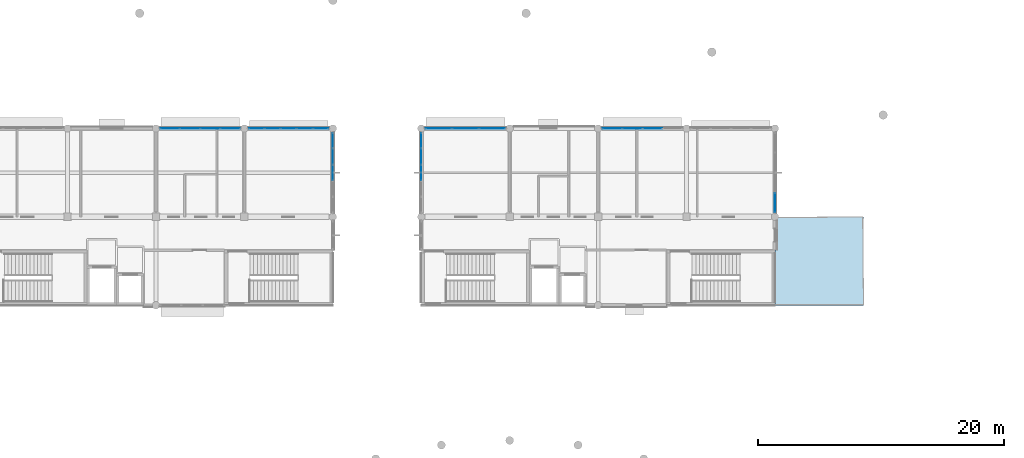
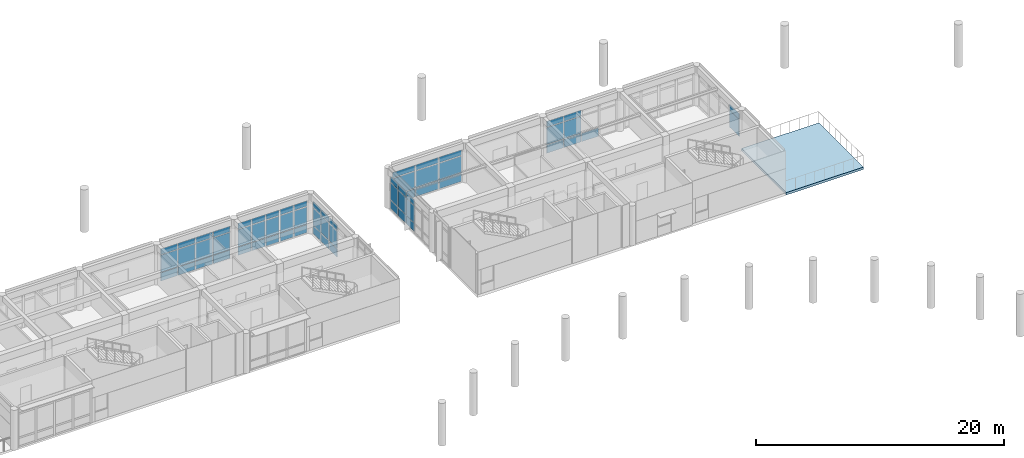
# One storey, part 16 of 41: 63 plates, 1 slab, 7 elements without a shape of their own.
"""IFC4 building model written with IfcOpenShell, lengths in metres."""

from ifc_helpers import new_model, si_unit, direction, frame, origin, origin_2d, place, context, subcontext, project, spatial, polyline, rectangle, outline, extrude, material, layer, layer_set, type_object, element, aggregate, save


model = new_model("IFC4")

# Units and contexts
model_context = context("Model", 3, precision=1e-05, world=origin(), true_north=direction((0.0, 1.0)))
body_context = subcontext(model_context, "Body", "Model", "MODEL_VIEW")
ifc_project = project(units=[si_unit("LENGTHUNIT", "METRE"), si_unit("AREAUNIT", "SQUARE_METRE"), si_unit("VOLUMEUNIT", "CUBIC_METRE"), si_unit("PLANEANGLEUNIT", "RADIAN"), si_unit("MASSUNIT", "GRAM", prefix="KILO")], contexts=[model_context])

# Site, building, storey
site_placement = place(None, origin())
site = spatial("IfcSite", under=ifc_project, at=site_placement, CompositionType="ELEMENT")
building_placement = place(site_placement, origin())
building = spatial("IfcBuilding", under=site, at=building_placement, Name="Namkhue Oval Health Centre", CompositionType="ELEMENT")
storey_placement = place(building_placement, frame((0.0, 0.0, 13.800048828125)))
storey = spatial("IfcBuildingStorey", under=building, at=storey_placement, Name="L03", CompositionType="ELEMENT", Elevation=13.800048828125)

# Curtain wall, plates
ifc_material_1 = material(Name="Anodised aluminium EN AW-6063 T6", Category="aluminium")
ifc_layer_1 = layer(ifc_material_1, 0.159912109375)
ifc_layer_set_1 = layer_set([ifc_layer_1], Name="Anodised aluminium EN AW-6063 T6")
curtain_wall_type_1 = type_object("IfcCurtainWallType", Name="UNITISED CURTAIN WALL M1200", PredefinedType="NOTDEFINED", material=ifc_layer_set_1)
curtain_wall_1_placement = place(storey_placement, origin())
curtain_wall_1 = element("IfcCurtainWall", 1, at=curtain_wall_1_placement, inside=storey, type_object=curtain_wall_type_1, Name="Volume V2 L03 Unitised Curtain Wall 73", PredefinedType="NOTDEFINED")
ifc_material_2 = material(Name="Thermally broken low-E laminated double glazing", Category="glass")
ifc_layer_2 = layer(ifc_material_2, 0.02587890625)
ifc_layer_set_2 = layer_set([ifc_layer_2], Name="Thermally broken low-E laminated double glazing")
plate_type_1 = type_object("IfcPlateType", Name="CURTAIN WALL GLAZED PANEL 26", PredefinedType="CURTAIN_PANEL", material=ifc_layer_set_2)
plate_1_placement = place(storey_placement, frame((86.39990234375, 100.800048828125, 0.06494140625), z_axis=(0.0, 0.0, 1.0), x_axis=(0.0, 1.0, 0.0)))
plate_1 = element("IfcPlate", 2, at=plate_1_placement, type_object=plate_type_1, Name="CW-01 panel 3.1", PredefinedType="CURTAIN_PANEL", context=body_context, shape_type="SweptSolid", body=[
    extrude(rectangle(XDim=1.2509765625, YDim=0.02587890625, at=origin_2d()), origin(), (0.0, 0.0, 1.0), 0.802490234375),
])
plate_2_placement = place(storey_placement, frame((86.39990234375, 100.800048828125, 0.9326171875), z_axis=(0.0, 0.0, 1.0), x_axis=(0.0, 1.0, 0.0)))
plate_2 = element("IfcPlate", 3, at=plate_2_placement, type_object=plate_type_1, Name="CW-01 panel 3.2", PredefinedType="CURTAIN_PANEL", context=body_context, shape_type="SweptSolid", body=[
    extrude(rectangle(XDim=1.2509765625, YDim=0.02587890625, at=origin_2d()), origin(), (0.0, 0.0, 1.0), 1.679931640625),
])
plate_3_placement = place(storey_placement, frame((86.39990234375, 100.800048828125, 2.67724609375), z_axis=(0.0, 0.0, 1.0), x_axis=(0.0, 1.0, 0.0)))
plate_3 = element("IfcPlate", 4, at=plate_3_placement, type_object=plate_type_1, Name="CW-01 panel 3.3", PredefinedType="CURTAIN_PANEL", context=body_context, shape_type="SweptSolid", body=[
    extrude(rectangle(XDim=1.2509765625, YDim=0.02587890625, at=origin_2d()), origin(), (0.0, 0.0, 1.0), 0.552490234375),
])
plate_4_placement = place(storey_placement, frame((86.39990234375, 102.115966796875, 0.06494140625), z_axis=(0.0, 0.0, 1.0), x_axis=(0.0, 1.0, 0.0)))
plate_4 = element("IfcPlate", 5, at=plate_4_placement, type_object=plate_type_1, Name="CW-01 panel 4.1", PredefinedType="CURTAIN_PANEL", context=body_context, shape_type="SweptSolid", body=[
    extrude(rectangle(XDim=1.2509765625, YDim=0.02587890625, at=origin_2d()), origin(), (0.0, 0.0, 1.0), 0.802490234375),
])
plate_5_placement = place(storey_placement, frame((86.39990234375, 102.115966796875, 0.9326171875), z_axis=(0.0, 0.0, 1.0), x_axis=(0.0, 1.0, 0.0)))
plate_5 = element("IfcPlate", 6, at=plate_5_placement, type_object=plate_type_1, Name="CW-01 panel 4.2", PredefinedType="CURTAIN_PANEL", context=body_context, shape_type="SweptSolid", body=[
    extrude(rectangle(XDim=1.2509765625, YDim=0.02587890625, at=origin_2d()), origin(), (0.0, 0.0, 1.0), 1.679931640625),
])
plate_6_placement = place(storey_placement, frame((86.39990234375, 102.115966796875, 2.67724609375), z_axis=(0.0, 0.0, 1.0), x_axis=(0.0, 1.0, 0.0)))
plate_6 = element("IfcPlate", 7, at=plate_6_placement, type_object=plate_type_1, Name="CW-01 panel 4.3", PredefinedType="CURTAIN_PANEL", context=body_context, shape_type="SweptSolid", body=[
    extrude(rectangle(XDim=1.2509765625, YDim=0.02587890625, at=origin_2d()), origin(), (0.0, 0.0, 1.0), 0.552490234375),
])
plate_7_placement = place(storey_placement, frame((86.39990234375, 103.415771484375, 0.06494140625), z_axis=(0.0, 0.0, 1.0), x_axis=(0.0, 1.0, 0.0)))
plate_7 = element("IfcPlate", 8, at=plate_7_placement, type_object=plate_type_1, Name="CW-01 panel 5.1", PredefinedType="CURTAIN_PANEL", context=body_context, shape_type="SweptSolid", body=[
    extrude(rectangle(XDim=1.218505859375, YDim=0.02587890625, at=origin_2d()), origin(), (0.0, 0.0, 1.0), 0.802490234375),
])
plate_8_placement = place(storey_placement, frame((86.39990234375, 103.415771484375, 0.9326171875), z_axis=(0.0, 0.0, 1.0), x_axis=(0.0, 1.0, 0.0)))
plate_8 = element("IfcPlate", 9, at=plate_8_placement, type_object=plate_type_1, Name="CW-01 panel 5.2", PredefinedType="CURTAIN_PANEL", context=body_context, shape_type="SweptSolid", body=[
    extrude(rectangle(XDim=1.218505859375, YDim=0.02587890625, at=origin_2d()), origin(), (0.0, 0.0, 1.0), 1.679931640625),
])
plate_9_placement = place(storey_placement, frame((86.39990234375, 103.415771484375, 2.67724609375), z_axis=(0.0, 0.0, 1.0), x_axis=(0.0, 1.0, 0.0)))
plate_9 = element("IfcPlate", 10, at=plate_9_placement, type_object=plate_type_1, Name="CW-01 panel 5.3", PredefinedType="CURTAIN_PANEL", context=body_context, shape_type="SweptSolid", body=[
    extrude(rectangle(XDim=1.218505859375, YDim=0.02587890625, at=origin_2d()), origin(), (0.0, 0.0, 1.0), 0.552490234375),
])
aggregate(curtain_wall_1, [plate_1, plate_2, plate_3, plate_4, plate_5, plate_6, plate_7, plate_8, plate_9])

ifc_layer_3 = layer(ifc_material_1, 0.159912109375)
ifc_layer_set_3 = layer_set([ifc_layer_3], Name="Anodised aluminium EN AW-6063 T6")
curtain_wall_type_2 = type_object("IfcCurtainWallType", Name="UNITISED CURTAIN WALL M1500", PredefinedType="NOTDEFINED", material=ifc_layer_set_3)
curtain_wall_2_placement = place(storey_placement, origin())
curtain_wall_2 = element("IfcCurtainWall", 11, at=curtain_wall_2_placement, inside=storey, type_object=curtain_wall_type_2, Name="Volume V3 L03 Unitised Curtain Wall 117", PredefinedType="NOTDEFINED")
plate_10_placement = place(storey_placement, frame((122.39990234375, 98.3486328125, 0.9326171875), z_axis=(0.0, 0.0, 1.0), x_axis=(0.0, 1.0, 0.0)))
plate_10 = element("IfcPlate", 12, at=plate_10_placement, type_object=plate_type_1, Name="CW-03 panel 1.2", PredefinedType="CURTAIN_PANEL", context=body_context, shape_type="SweptSolid", body=[
    extrude(rectangle(XDim=1.547607421875, YDim=0.02587890625, at=origin_2d()), origin(), (0.0, 0.0, 1.0), 1.655029296875),
])
plate_11_placement = place(storey_placement, frame((122.39990234375, 98.3486328125, 2.65234375), z_axis=(0.0, 0.0, 1.0), x_axis=(0.0, 1.0, 0.0)))
plate_11 = element("IfcPlate", 13, at=plate_11_placement, type_object=plate_type_1, Name="CW-03 panel 1.3", PredefinedType="CURTAIN_PANEL", context=body_context, shape_type="SweptSolid", body=[
    extrude(rectangle(XDim=1.547607421875, YDim=0.02587890625, at=origin_2d()), origin(), (0.0, 0.0, 1.0), 0.552490234375),
])
aggregate(curtain_wall_2, [plate_10, plate_11])

curtain_wall_3_placement = place(storey_placement, origin())
curtain_wall_3 = element("IfcCurtainWall", 14, at=curtain_wall_3_placement, inside=storey, type_object=curtain_wall_type_1, Name="Volume V3 L03 Unitised Curtain Wall 121", PredefinedType="NOTDEFINED")
plate_12_placement = place(storey_placement, frame((93.60009765625, 103.415771484375, 0.06494140625), z_axis=(0.0, 0.0, 1.0), x_axis=(0.0, -1.0, 0.0)))
plate_12 = element("IfcPlate", 15, at=plate_12_placement, type_object=plate_type_1, Name="CW-01 panel 1.1", PredefinedType="CURTAIN_PANEL", context=body_context, shape_type="SweptSolid", body=[
    extrude(rectangle(XDim=1.218505859375, YDim=0.02587890625, at=origin_2d()), origin(), (0.0, 0.0, 1.0), 0.802490234375),
])
plate_13_placement = place(storey_placement, frame((93.60009765625, 103.415771484375, 0.9326171875), z_axis=(0.0, 0.0, 1.0), x_axis=(0.0, -1.0, 0.0)))
plate_13 = element("IfcPlate", 16, at=plate_13_placement, type_object=plate_type_1, Name="CW-01 panel 1.2", PredefinedType="CURTAIN_PANEL", context=body_context, shape_type="SweptSolid", body=[
    extrude(rectangle(XDim=1.218505859375, YDim=0.02587890625, at=origin_2d()), origin(), (0.0, 0.0, 1.0), 1.655029296875),
])
plate_14_placement = place(storey_placement, frame((93.60009765625, 103.415771484375, 2.65234375), z_axis=(0.0, 0.0, 1.0), x_axis=(0.0, -1.0, 0.0)))
plate_14 = element("IfcPlate", 17, at=plate_14_placement, type_object=plate_type_1, Name="CW-01 panel 1.3", PredefinedType="CURTAIN_PANEL", context=body_context, shape_type="SweptSolid", body=[
    extrude(rectangle(XDim=1.218505859375, YDim=0.02587890625, at=origin_2d()), origin(), (0.0, 0.0, 1.0), 0.552490234375),
])
plate_15_placement = place(storey_placement, frame((93.60009765625, 102.115966796875, 0.06494140625), z_axis=(0.0, 0.0, 1.0), x_axis=(0.0, -1.0, 0.0)))
plate_15 = element("IfcPlate", 18, at=plate_15_placement, type_object=plate_type_1, Name="CW-01 panel 2.1", PredefinedType="CURTAIN_PANEL", context=body_context, shape_type="SweptSolid", body=[
    extrude(rectangle(XDim=1.2509765625, YDim=0.02587890625, at=origin_2d()), origin(), (0.0, 0.0, 1.0), 0.802490234375),
])
plate_16_placement = place(storey_placement, frame((93.60009765625, 102.115966796875, 0.9326171875), z_axis=(0.0, 0.0, 1.0), x_axis=(0.0, -1.0, 0.0)))
plate_16 = element("IfcPlate", 19, at=plate_16_placement, type_object=plate_type_1, Name="CW-01 panel 2.2", PredefinedType="CURTAIN_PANEL", context=body_context, shape_type="SweptSolid", body=[
    extrude(rectangle(XDim=1.2509765625, YDim=0.02587890625, at=origin_2d()), origin(), (0.0, 0.0, 1.0), 1.655029296875),
])
plate_17_placement = place(storey_placement, frame((93.60009765625, 102.115966796875, 2.65234375), z_axis=(0.0, 0.0, 1.0), x_axis=(0.0, -1.0, 0.0)))
plate_17 = element("IfcPlate", 20, at=plate_17_placement, type_object=plate_type_1, Name="CW-01 panel 2.3", PredefinedType="CURTAIN_PANEL", context=body_context, shape_type="SweptSolid", body=[
    extrude(rectangle(XDim=1.2509765625, YDim=0.02587890625, at=origin_2d()), origin(), (0.0, 0.0, 1.0), 0.552490234375),
])
plate_18_placement = place(storey_placement, frame((93.60009765625, 100.800048828125, 0.06494140625), z_axis=(0.0, 0.0, 1.0), x_axis=(0.0, -1.0, 0.0)))
plate_18 = element("IfcPlate", 21, at=plate_18_placement, type_object=plate_type_1, Name="CW-01 panel 3.1", PredefinedType="CURTAIN_PANEL", context=body_context, shape_type="SweptSolid", body=[
    extrude(rectangle(XDim=1.2509765625, YDim=0.02587890625, at=origin_2d()), origin(), (0.0, 0.0, 1.0), 0.802490234375),
])
plate_19_placement = place(storey_placement, frame((93.60009765625, 100.800048828125, 0.9326171875), z_axis=(0.0, 0.0, 1.0), x_axis=(0.0, -1.0, 0.0)))
plate_19 = element("IfcPlate", 22, at=plate_19_placement, type_object=plate_type_1, Name="CW-01 panel 3.2", PredefinedType="CURTAIN_PANEL", context=body_context, shape_type="SweptSolid", body=[
    extrude(rectangle(XDim=1.2509765625, YDim=0.02587890625, at=origin_2d()), origin(), (0.0, 0.0, 1.0), 1.655029296875),
])
plate_20_placement = place(storey_placement, frame((93.60009765625, 100.800048828125, 2.65234375), z_axis=(0.0, 0.0, 1.0), x_axis=(0.0, -1.0, 0.0)))
plate_20 = element("IfcPlate", 23, at=plate_20_placement, type_object=plate_type_1, Name="CW-01 panel 3.3", PredefinedType="CURTAIN_PANEL", context=body_context, shape_type="SweptSolid", body=[
    extrude(rectangle(XDim=1.2509765625, YDim=0.02587890625, at=origin_2d()), origin(), (0.0, 0.0, 1.0), 0.552490234375),
])
aggregate(curtain_wall_3, [plate_12, plate_13, plate_14, plate_15, plate_16, plate_17, plate_18, plate_19, plate_20])

ifc_layer_4 = layer(ifc_material_1, 0.159912109375)
ifc_layer_set_4 = layer_set([ifc_layer_4], Name="Anodised aluminium EN AW-6063 T6")
curtain_wall_type_3 = type_object("IfcCurtainWallType", Name="UNITISED CURTAIN WALL M1350", PredefinedType="NOTDEFINED", material=ifc_layer_set_4)
curtain_wall_4_placement = place(storey_placement, origin())
curtain_wall_4 = element("IfcCurtainWall", 24, at=curtain_wall_4_placement, inside=storey, type_object=curtain_wall_type_3, Name="Volume V2 L03 Unitised Curtain Wall 74", PredefinedType="NOTDEFINED")
ifc_layer_5 = layer(ifc_material_2, 0.028076171875)
ifc_layer_set_5 = layer_set([ifc_layer_5], Name="Thermally broken low-E laminated double glazing")
plate_type_2 = type_object("IfcPlateType", Name="CURTAIN WALL GLAZED PANEL 28", PredefinedType="CURTAIN_PANEL", material=ifc_layer_set_5)
plate_21_placement = place(storey_placement, frame((85.413330078125, 104.39990234375, 0.074951171875), z_axis=(0.0, 0.0, 1.0), x_axis=(-1.0, 0.0, 0.0)))
plate_21 = element("IfcPlate", 25, at=plate_21_placement, type_object=plate_type_2, Name="CW-02 panel 1.1", PredefinedType="CURTAIN_PANEL", context=body_context, shape_type="SweptSolid", body=[
    extrude(rectangle(XDim=1.20361328125, YDim=0.028076171875, at=origin_2d()), origin(), (0.0, 0.0, 1.0), 0.78759765625),
])
plate_22_placement = place(storey_placement, frame((85.413330078125, 104.39990234375, 0.9375), z_axis=(0.0, 0.0, 1.0), x_axis=(-1.0, 0.0, 0.0)))
plate_22 = element("IfcPlate", 26, at=plate_22_placement, type_object=plate_type_2, Name="CW-02 panel 1.2", PredefinedType="CURTAIN_PANEL", context=body_context, shape_type="SweptSolid", body=[
    extrude(rectangle(XDim=1.20361328125, YDim=0.028076171875, at=origin_2d()), origin(), (0.0, 0.0, 1.0), 1.669921875),
])
plate_23_placement = place(storey_placement, frame((85.413330078125, 104.39990234375, 2.682373046875), z_axis=(0.0, 0.0, 1.0), x_axis=(-1.0, 0.0, 0.0)))
plate_23 = element("IfcPlate", 27, at=plate_23_placement, type_object=plate_type_2, Name="CW-02 panel 1.3", PredefinedType="CURTAIN_PANEL", context=body_context, shape_type="SweptSolid", body=[
    extrude(rectangle(XDim=1.20361328125, YDim=0.028076171875, at=origin_2d()), origin(), (0.0, 0.0, 1.0), 0.53759765625),
])
plate_24_placement = place(storey_placement, frame((84.115966796875, 104.39990234375, 0.074951171875), z_axis=(0.0, 0.0, 1.0), x_axis=(-1.0, 0.0, 0.0)))
plate_24 = element("IfcPlate", 28, at=plate_24_placement, type_object=plate_type_2, Name="CW-02 panel 2.1", PredefinedType="CURTAIN_PANEL", context=body_context, shape_type="SweptSolid", body=[
    extrude(rectangle(XDim=1.240966796875, YDim=0.028076171875, at=origin_2d()), origin(), (0.0, 0.0, 1.0), 0.78759765625),
])
plate_25_placement = place(storey_placement, frame((84.115966796875, 104.39990234375, 0.9375), z_axis=(0.0, 0.0, 1.0), x_axis=(-1.0, 0.0, 0.0)))
plate_25 = element("IfcPlate", 29, at=plate_25_placement, type_object=plate_type_2, Name="CW-02 panel 2.2", PredefinedType="CURTAIN_PANEL", context=body_context, shape_type="SweptSolid", body=[
    extrude(rectangle(XDim=1.240966796875, YDim=0.028076171875, at=origin_2d()), origin(), (0.0, 0.0, 1.0), 1.669921875),
])
plate_26_placement = place(storey_placement, frame((84.115966796875, 104.39990234375, 2.682373046875), z_axis=(0.0, 0.0, 1.0), x_axis=(-1.0, 0.0, 0.0)))
plate_26 = element("IfcPlate", 30, at=plate_26_placement, type_object=plate_type_2, Name="CW-02 panel 2.3", PredefinedType="CURTAIN_PANEL", context=body_context, shape_type="SweptSolid", body=[
    extrude(rectangle(XDim=1.240966796875, YDim=0.028076171875, at=origin_2d()), origin(), (0.0, 0.0, 1.0), 0.53759765625),
])
plate_27_placement = place(storey_placement, frame((82.800048828125, 104.39990234375, 0.074951171875), z_axis=(0.0, 0.0, 1.0), x_axis=(-1.0, 0.0, 0.0)))
plate_27 = element("IfcPlate", 31, at=plate_27_placement, type_object=plate_type_2, Name="CW-02 panel 3.1", PredefinedType="CURTAIN_PANEL", context=body_context, shape_type="SweptSolid", body=[
    extrude(rectangle(XDim=1.240966796875, YDim=0.028076171875, at=origin_2d()), origin(), (0.0, 0.0, 1.0), 0.78759765625),
])
plate_28_placement = place(storey_placement, frame((82.800048828125, 104.39990234375, 0.9375), z_axis=(0.0, 0.0, 1.0), x_axis=(-1.0, 0.0, 0.0)))
plate_28 = element("IfcPlate", 32, at=plate_28_placement, type_object=plate_type_2, Name="CW-02 panel 3.2", PredefinedType="CURTAIN_PANEL", context=body_context, shape_type="SweptSolid", body=[
    extrude(rectangle(XDim=1.240966796875, YDim=0.028076171875, at=origin_2d()), origin(), (0.0, 0.0, 1.0), 1.669921875),
])
plate_29_placement = place(storey_placement, frame((82.800048828125, 104.39990234375, 2.682373046875), z_axis=(0.0, 0.0, 1.0), x_axis=(-1.0, 0.0, 0.0)))
plate_29 = element("IfcPlate", 33, at=plate_29_placement, type_object=plate_type_2, Name="CW-02 panel 3.3", PredefinedType="CURTAIN_PANEL", context=body_context, shape_type="SweptSolid", body=[
    extrude(rectangle(XDim=1.240966796875, YDim=0.028076171875, at=origin_2d()), origin(), (0.0, 0.0, 1.0), 0.53759765625),
])
plate_30_placement = place(storey_placement, frame((81.48388671875, 104.39990234375, 0.074951171875), z_axis=(0.0, 0.0, 1.0), x_axis=(-1.0, 0.0, 0.0)))
plate_30 = element("IfcPlate", 34, at=plate_30_placement, type_object=plate_type_2, Name="CW-02 panel 4.1", PredefinedType="CURTAIN_PANEL", context=body_context, shape_type="SweptSolid", body=[
    extrude(rectangle(XDim=1.240966796875, YDim=0.028076171875, at=origin_2d()), origin(), (0.0, 0.0, 1.0), 0.78759765625),
])
plate_31_placement = place(storey_placement, frame((81.48388671875, 104.39990234375, 0.9375), z_axis=(0.0, 0.0, 1.0), x_axis=(-1.0, 0.0, 0.0)))
plate_31 = element("IfcPlate", 35, at=plate_31_placement, type_object=plate_type_2, Name="CW-02 panel 4.2", PredefinedType="CURTAIN_PANEL", context=body_context, shape_type="SweptSolid", body=[
    extrude(rectangle(XDim=1.240966796875, YDim=0.028076171875, at=origin_2d()), origin(), (0.0, 0.0, 1.0), 1.669921875),
])
plate_32_placement = place(storey_placement, frame((81.48388671875, 104.39990234375, 2.682373046875), z_axis=(0.0, 0.0, 1.0), x_axis=(-1.0, 0.0, 0.0)))
plate_32 = element("IfcPlate", 36, at=plate_32_placement, type_object=plate_type_2, Name="CW-02 panel 4.3", PredefinedType="CURTAIN_PANEL", context=body_context, shape_type="SweptSolid", body=[
    extrude(rectangle(XDim=1.240966796875, YDim=0.028076171875, at=origin_2d()), origin(), (0.0, 0.0, 1.0), 0.53759765625),
])
plate_33_placement = place(storey_placement, frame((80.186767578125, 104.39990234375, 0.074951171875), z_axis=(0.0, 0.0, 1.0), x_axis=(-1.0, 0.0, 0.0)))
plate_33 = element("IfcPlate", 37, at=plate_33_placement, type_object=plate_type_2, Name="CW-02 panel 5.1", PredefinedType="CURTAIN_PANEL", context=body_context, shape_type="SweptSolid", body=[
    extrude(rectangle(XDim=1.20361328125, YDim=0.028076171875, at=origin_2d()), origin(), (0.0, 0.0, 1.0), 0.78759765625),
])
plate_34_placement = place(storey_placement, frame((80.186767578125, 104.39990234375, 0.9375), z_axis=(0.0, 0.0, 1.0), x_axis=(-1.0, 0.0, 0.0)))
plate_34 = element("IfcPlate", 38, at=plate_34_placement, type_object=plate_type_2, Name="CW-02 panel 5.2", PredefinedType="CURTAIN_PANEL", context=body_context, shape_type="SweptSolid", body=[
    extrude(rectangle(XDim=1.20361328125, YDim=0.028076171875, at=origin_2d()), origin(), (0.0, 0.0, 1.0), 1.669921875),
])
plate_35_placement = place(storey_placement, frame((80.186767578125, 104.39990234375, 2.682373046875), z_axis=(0.0, 0.0, 1.0), x_axis=(-1.0, 0.0, 0.0)))
plate_35 = element("IfcPlate", 39, at=plate_35_placement, type_object=plate_type_2, Name="CW-02 panel 5.3", PredefinedType="CURTAIN_PANEL", context=body_context, shape_type="SweptSolid", body=[
    extrude(rectangle(XDim=1.20361328125, YDim=0.028076171875, at=origin_2d()), origin(), (0.0, 0.0, 1.0), 0.53759765625),
])
aggregate(curtain_wall_4, [plate_21, plate_22, plate_23, plate_24, plate_25, plate_26, plate_27, plate_28, plate_29, plate_30, plate_31, plate_32, plate_33, plate_34, plate_35])

curtain_wall_5_placement = place(storey_placement, origin())
curtain_wall_5 = element("IfcCurtainWall", 40, at=curtain_wall_5_placement, inside=storey, type_object=curtain_wall_type_2, Name="Volume V2 L03 Unitised Curtain Wall 75", PredefinedType="NOTDEFINED")
ifc_material_3 = material(Name="Insulated anodised aluminium spandrel panel", Category="aluminium")
ifc_layer_6 = layer(ifc_material_3, 0.031982421875)
ifc_layer_set_6 = layer_set([ifc_layer_6], Name="Insulated anodised aluminium spandrel panel")
plate_type_3 = type_object("IfcPlateType", Name="CURTAIN WALL SPANDREL PANEL 32", PredefinedType="CURTAIN_PANEL", material=ifc_layer_set_6)
plate_36_placement = place(storey_placement, frame((78.05126953125, 104.39990234375, 0.06494140625), z_axis=(0.0, 0.0, 1.0), x_axis=(-1.0, 0.0, 0.0)))
plate_36 = element("IfcPlate", 41, at=plate_36_placement, type_object=plate_type_3, Name="CW-03 panel 1.1", PredefinedType="CURTAIN_PANEL", context=body_context, shape_type="SweptSolid", body=[
    extrude(rectangle(XDim=1.547607421875, YDim=0.031982421875, at=origin_2d()), origin(), (0.0, 0.0, 1.0), 0.802490234375),
])
plate_37_placement = place(storey_placement, frame((78.05126953125, 104.39990234375, 0.9326171875), z_axis=(0.0, 0.0, 1.0), x_axis=(-1.0, 0.0, 0.0)))
plate_37 = element("IfcPlate", 42, at=plate_37_placement, type_object=plate_type_3, Name="CW-03 panel 1.2", PredefinedType="CURTAIN_PANEL", context=body_context, shape_type="SweptSolid", body=[
    extrude(rectangle(XDim=1.547607421875, YDim=0.031982421875, at=origin_2d()), origin(), (0.0, 0.0, 1.0), 1.679931640625),
])
plate_38_placement = place(storey_placement, frame((78.05126953125, 104.39990234375, 2.67724609375), z_axis=(0.0, 0.0, 1.0), x_axis=(-1.0, 0.0, 0.0)))
plate_38 = element("IfcPlate", 43, at=plate_38_placement, type_object=plate_type_3, Name="CW-03 panel 1.3", PredefinedType="CURTAIN_PANEL", context=body_context, shape_type="SweptSolid", body=[
    extrude(rectangle(XDim=1.547607421875, YDim=0.031982421875, at=origin_2d()), origin(), (0.0, 0.0, 1.0), 0.552490234375),
])
plate_39_placement = place(storey_placement, frame((76.422607421875, 104.39990234375, 0.06494140625), z_axis=(0.0, 0.0, 1.0), x_axis=(-1.0, 0.0, 0.0)))
plate_39 = element("IfcPlate", 44, at=plate_39_placement, type_object=plate_type_3, Name="CW-03 panel 2.1", PredefinedType="CURTAIN_PANEL", context=body_context, shape_type="SweptSolid", body=[
    extrude(rectangle(XDim=1.580078125, YDim=0.031982421875, at=origin_2d()), origin(), (0.0, 0.0, 1.0), 0.802490234375),
])
plate_40_placement = place(storey_placement, frame((76.422607421875, 104.39990234375, 0.9326171875), z_axis=(0.0, 0.0, 1.0), x_axis=(-1.0, 0.0, 0.0)))
plate_40 = element("IfcPlate", 45, at=plate_40_placement, type_object=plate_type_3, Name="CW-03 panel 2.2", PredefinedType="CURTAIN_PANEL", context=body_context, shape_type="SweptSolid", body=[
    extrude(rectangle(XDim=1.580078125, YDim=0.031982421875, at=origin_2d()), origin(), (0.0, 0.0, 1.0), 1.679931640625),
])
plate_41_placement = place(storey_placement, frame((76.422607421875, 104.39990234375, 2.67724609375), z_axis=(0.0, 0.0, 1.0), x_axis=(-1.0, 0.0, 0.0)))
plate_41 = element("IfcPlate", 46, at=plate_41_placement, type_object=plate_type_3, Name="CW-03 panel 2.3", PredefinedType="CURTAIN_PANEL", context=body_context, shape_type="SweptSolid", body=[
    extrude(rectangle(XDim=1.580078125, YDim=0.031982421875, at=origin_2d()), origin(), (0.0, 0.0, 1.0), 0.552490234375),
])
plate_42_placement = place(storey_placement, frame((74.777587890625, 104.39990234375, 0.06494140625), z_axis=(0.0, 0.0, 1.0), x_axis=(-1.0, 0.0, 0.0)))
plate_42 = element("IfcPlate", 47, at=plate_42_placement, type_object=plate_type_3, Name="CW-03 panel 3.1", PredefinedType="CURTAIN_PANEL", context=body_context, shape_type="SweptSolid", body=[
    extrude(rectangle(XDim=1.580078125, YDim=0.031982421875, at=origin_2d()), origin(), (0.0, 0.0, 1.0), 0.802490234375),
])
plate_43_placement = place(storey_placement, frame((74.777587890625, 104.39990234375, 0.9326171875), z_axis=(0.0, 0.0, 1.0), x_axis=(-1.0, 0.0, 0.0)))
plate_43 = element("IfcPlate", 48, at=plate_43_placement, type_object=plate_type_3, Name="CW-03 panel 3.2", PredefinedType="CURTAIN_PANEL", context=body_context, shape_type="SweptSolid", body=[
    extrude(rectangle(XDim=1.580078125, YDim=0.031982421875, at=origin_2d()), origin(), (0.0, 0.0, 1.0), 1.679931640625),
])
plate_44_placement = place(storey_placement, frame((74.777587890625, 104.39990234375, 2.67724609375), z_axis=(0.0, 0.0, 1.0), x_axis=(-1.0, 0.0, 0.0)))
plate_44 = element("IfcPlate", 49, at=plate_44_placement, type_object=plate_type_3, Name="CW-03 panel 3.3", PredefinedType="CURTAIN_PANEL", context=body_context, shape_type="SweptSolid", body=[
    extrude(rectangle(XDim=1.580078125, YDim=0.031982421875, at=origin_2d()), origin(), (0.0, 0.0, 1.0), 0.552490234375),
])
plate_45_placement = place(storey_placement, frame((73.148681640625, 104.39990234375, 0.06494140625), z_axis=(0.0, 0.0, 1.0), x_axis=(-1.0, 0.0, 0.0)))
plate_45 = element("IfcPlate", 50, at=plate_45_placement, type_object=plate_type_3, Name="CW-03 panel 4.1", PredefinedType="CURTAIN_PANEL", context=body_context, shape_type="SweptSolid", body=[
    extrude(rectangle(XDim=1.547607421875, YDim=0.031982421875, at=origin_2d()), origin(), (0.0, 0.0, 1.0), 0.802490234375),
])
plate_46_placement = place(storey_placement, frame((73.148681640625, 104.39990234375, 0.9326171875), z_axis=(0.0, 0.0, 1.0), x_axis=(-1.0, 0.0, 0.0)))
plate_46 = element("IfcPlate", 51, at=plate_46_placement, type_object=plate_type_3, Name="CW-03 panel 4.2", PredefinedType="CURTAIN_PANEL", context=body_context, shape_type="SweptSolid", body=[
    extrude(rectangle(XDim=1.547607421875, YDim=0.031982421875, at=origin_2d()), origin(), (0.0, 0.0, 1.0), 1.679931640625),
])
plate_47_placement = place(storey_placement, frame((73.148681640625, 104.39990234375, 2.67724609375), z_axis=(0.0, 0.0, 1.0), x_axis=(-1.0, 0.0, 0.0)))
plate_47 = element("IfcPlate", 52, at=plate_47_placement, type_object=plate_type_3, Name="CW-03 panel 4.3", PredefinedType="CURTAIN_PANEL", context=body_context, shape_type="SweptSolid", body=[
    extrude(rectangle(XDim=1.547607421875, YDim=0.031982421875, at=origin_2d()), origin(), (0.0, 0.0, 1.0), 0.552490234375),
])
aggregate(curtain_wall_5, [plate_36, plate_37, plate_38, plate_39, plate_40, plate_41, plate_42, plate_43, plate_44, plate_45, plate_46, plate_47])

ifc_layer_7 = layer(ifc_material_1, 0.159912109375)
ifc_layer_set_7 = layer_set([ifc_layer_7], Name="Anodised aluminium EN AW-6063 T6")
curtain_wall_type_4 = type_object("IfcCurtainWallType", Name="UNITISED CURTAIN WALL M1800", PredefinedType="NOTDEFINED", material=ifc_layer_set_7)
curtain_wall_6_placement = place(storey_placement, origin())
curtain_wall_6 = element("IfcCurtainWall", 53, at=curtain_wall_6_placement, inside=storey, type_object=curtain_wall_type_4, Name="Volume V3 L03 Unitised Curtain Wall 119", PredefinedType="NOTDEFINED")
plate_48_placement = place(storey_placement, frame((112.422607421875, 104.39990234375, 0.06494140625), z_axis=(0.0, 0.0, 1.0), x_axis=(-1.0, 0.0, 0.0)))
plate_48 = element("IfcPlate", 54, at=plate_48_placement, type_object=plate_type_3, Name="CW-05 panel 2.1", PredefinedType="CURTAIN_PANEL", context=body_context, shape_type="SweptSolid", body=[
    extrude(rectangle(XDim=1.580078125, YDim=0.031982421875, at=origin_2d()), origin(), (0.0, 0.0, 1.0), 0.802490234375),
])
plate_49_placement = place(storey_placement, frame((110.777587890625, 104.39990234375, 0.06494140625), z_axis=(0.0, 0.0, 1.0), x_axis=(-1.0, 0.0, 0.0)))
plate_49 = element("IfcPlate", 55, at=plate_49_placement, type_object=plate_type_3, Name="CW-05 panel 3.1", PredefinedType="CURTAIN_PANEL", context=body_context, shape_type="SweptSolid", body=[
    extrude(rectangle(XDim=1.580078125, YDim=0.031982421875, at=origin_2d()), origin(), (0.0, 0.0, 1.0), 0.802490234375),
])
plate_50_placement = place(storey_placement, frame((110.777587890625, 104.39990234375, 0.9326171875), z_axis=(0.0, 0.0, 1.0), x_axis=(-1.0, 0.0, 0.0)))
plate_50 = element("IfcPlate", 56, at=plate_50_placement, type_object=plate_type_3, Name="CW-05 panel 3.2", PredefinedType="CURTAIN_PANEL", context=body_context, shape_type="SweptSolid", body=[
    extrude(rectangle(XDim=1.580078125, YDim=0.031982421875, at=origin_2d()), origin(), (0.0, 0.0, 1.0), 1.655029296875),
])
plate_51_placement = place(storey_placement, frame((110.777587890625, 104.39990234375, 2.65234375), z_axis=(0.0, 0.0, 1.0), x_axis=(-1.0, 0.0, 0.0)))
plate_51 = element("IfcPlate", 57, at=plate_51_placement, type_object=plate_type_3, Name="CW-05 panel 3.3", PredefinedType="CURTAIN_PANEL", context=body_context, shape_type="SweptSolid", body=[
    extrude(rectangle(XDim=1.580078125, YDim=0.031982421875, at=origin_2d()), origin(), (0.0, 0.0, 1.0), 0.552490234375),
])
plate_52_placement = place(storey_placement, frame((109.148681640625, 104.39990234375, 0.06494140625), z_axis=(0.0, 0.0, 1.0), x_axis=(-1.0, 0.0, 0.0)))
plate_52 = element("IfcPlate", 58, at=plate_52_placement, type_object=plate_type_3, Name="CW-05 panel 4.1", PredefinedType="CURTAIN_PANEL", context=body_context, shape_type="SweptSolid", body=[
    extrude(rectangle(XDim=1.547607421875, YDim=0.031982421875, at=origin_2d()), origin(), (0.0, 0.0, 1.0), 0.802490234375),
])
plate_53_placement = place(storey_placement, frame((109.148681640625, 104.39990234375, 0.9326171875), z_axis=(0.0, 0.0, 1.0), x_axis=(-1.0, 0.0, 0.0)))
plate_53 = element("IfcPlate", 59, at=plate_53_placement, type_object=plate_type_3, Name="CW-05 panel 4.2", PredefinedType="CURTAIN_PANEL", context=body_context, shape_type="SweptSolid", body=[
    extrude(rectangle(XDim=1.547607421875, YDim=0.031982421875, at=origin_2d()), origin(), (0.0, 0.0, 1.0), 1.655029296875),
])
plate_54_placement = place(storey_placement, frame((109.148681640625, 104.39990234375, 2.65234375), z_axis=(0.0, 0.0, 1.0), x_axis=(-1.0, 0.0, 0.0)))
plate_54 = element("IfcPlate", 60, at=plate_54_placement, type_object=plate_type_3, Name="CW-05 panel 4.3", PredefinedType="CURTAIN_PANEL", context=body_context, shape_type="SweptSolid", body=[
    extrude(rectangle(XDim=1.547607421875, YDim=0.031982421875, at=origin_2d()), origin(), (0.0, 0.0, 1.0), 0.552490234375),
])
aggregate(curtain_wall_6, [plate_48, plate_49, plate_50, plate_51, plate_52, plate_53, plate_54])

ifc_layer_8 = layer(ifc_material_1, 0.159912109375)
ifc_layer_set_8 = layer_set([ifc_layer_8], Name="Anodised aluminium EN AW-6063 T6")
curtain_wall_type_5 = type_object("IfcCurtainWallType", Name="UNITISED CURTAIN WALL M2000", PredefinedType="NOTDEFINED", material=ifc_layer_set_8)
curtain_wall_7_placement = place(storey_placement, origin())
curtain_wall_7 = element("IfcCurtainWall", 61, at=curtain_wall_7_placement, inside=storey, type_object=curtain_wall_type_5, Name="Volume V3 L03 Unitised Curtain Wall 120", PredefinedType="NOTDEFINED")
ifc_layer_9 = layer(ifc_material_3, 0.035888671875)
ifc_layer_set_9 = layer_set([ifc_layer_9], Name="Insulated anodised aluminium spandrel panel")
plate_type_4 = type_object("IfcPlateType", Name="CURTAIN WALL SPANDREL PANEL 36", PredefinedType="CURTAIN_PANEL", material=ifc_layer_set_9)
plate_55_placement = place(storey_placement, frame((99.37451171875, 104.39990234375, 0.074951171875), z_axis=(0.0, 0.0, 1.0), x_axis=(-1.0, 0.0, 0.0)))
plate_55 = element("IfcPlate", 62, at=plate_55_placement, type_object=plate_type_4, Name="CW-06 panel 1.1", PredefinedType="CURTAIN_PANEL", context=body_context, shape_type="SweptSolid", body=[
    extrude(rectangle(XDim=2.080810546875, YDim=0.035888671875, at=origin_2d()), origin(), (0.0, 0.0, 1.0), 0.78759765625),
])
plate_56_placement = place(storey_placement, frame((99.37451171875, 104.39990234375, 0.9375), z_axis=(0.0, 0.0, 1.0), x_axis=(-1.0, 0.0, 0.0)))
plate_56 = element("IfcPlate", 63, at=plate_56_placement, type_object=plate_type_4, Name="CW-06 panel 1.2", PredefinedType="CURTAIN_PANEL", context=body_context, shape_type="SweptSolid", body=[
    extrude(rectangle(XDim=2.080810546875, YDim=0.035888671875, at=origin_2d()), origin(), (0.0, 0.0, 1.0), 1.64501953125),
])
plate_57_placement = place(storey_placement, frame((99.37451171875, 104.39990234375, 2.657470703125), z_axis=(0.0, 0.0, 1.0), x_axis=(-1.0, 0.0, 0.0)))
plate_57 = element("IfcPlate", 64, at=plate_57_placement, type_object=plate_type_4, Name="CW-06 panel 1.3", PredefinedType="CURTAIN_PANEL", context=body_context, shape_type="SweptSolid", body=[
    extrude(rectangle(XDim=2.080810546875, YDim=0.035888671875, at=origin_2d()), origin(), (0.0, 0.0, 1.0), 0.53759765625),
])
plate_58_placement = place(storey_placement, frame((97.199951171875, 104.39990234375, 0.074951171875), z_axis=(0.0, 0.0, 1.0), x_axis=(-1.0, 0.0, 0.0)))
plate_58 = element("IfcPlate", 65, at=plate_58_placement, type_object=plate_type_4, Name="CW-06 panel 2.1", PredefinedType="CURTAIN_PANEL", context=body_context, shape_type="SweptSolid", body=[
    extrude(rectangle(XDim=2.118408203125, YDim=0.035888671875, at=origin_2d()), origin(), (0.0, 0.0, 1.0), 0.78759765625),
])
plate_59_placement = place(storey_placement, frame((97.199951171875, 104.39990234375, 0.9375), z_axis=(0.0, 0.0, 1.0), x_axis=(-1.0, 0.0, 0.0)))
plate_59 = element("IfcPlate", 66, at=plate_59_placement, type_object=plate_type_4, Name="CW-06 panel 2.2", PredefinedType="CURTAIN_PANEL", context=body_context, shape_type="SweptSolid", body=[
    extrude(rectangle(XDim=2.118408203125, YDim=0.035888671875, at=origin_2d()), origin(), (0.0, 0.0, 1.0), 1.64501953125),
])
plate_60_placement = place(storey_placement, frame((97.199951171875, 104.39990234375, 2.657470703125), z_axis=(0.0, 0.0, 1.0), x_axis=(-1.0, 0.0, 0.0)))
plate_60 = element("IfcPlate", 67, at=plate_60_placement, type_object=plate_type_4, Name="CW-06 panel 2.3", PredefinedType="CURTAIN_PANEL", context=body_context, shape_type="SweptSolid", body=[
    extrude(rectangle(XDim=2.118408203125, YDim=0.035888671875, at=origin_2d()), origin(), (0.0, 0.0, 1.0), 0.53759765625),
])
plate_61_placement = place(storey_placement, frame((95.025390625, 104.39990234375, 0.074951171875), z_axis=(0.0, 0.0, 1.0), x_axis=(-1.0, 0.0, 0.0)))
plate_61 = element("IfcPlate", 68, at=plate_61_placement, type_object=plate_type_4, Name="CW-06 panel 3.1", PredefinedType="CURTAIN_PANEL", context=body_context, shape_type="SweptSolid", body=[
    extrude(rectangle(XDim=2.080810546875, YDim=0.035888671875, at=origin_2d()), origin(), (0.0, 0.0, 1.0), 0.78759765625),
])
plate_62_placement = place(storey_placement, frame((95.025390625, 104.39990234375, 0.9375), z_axis=(0.0, 0.0, 1.0), x_axis=(-1.0, 0.0, 0.0)))
plate_62 = element("IfcPlate", 69, at=plate_62_placement, type_object=plate_type_4, Name="CW-06 panel 3.2", PredefinedType="CURTAIN_PANEL", context=body_context, shape_type="SweptSolid", body=[
    extrude(rectangle(XDim=2.080810546875, YDim=0.035888671875, at=origin_2d()), origin(), (0.0, 0.0, 1.0), 1.64501953125),
])
plate_63_placement = place(storey_placement, frame((95.025390625, 104.39990234375, 2.657470703125), z_axis=(0.0, 0.0, 1.0), x_axis=(-1.0, 0.0, 0.0)))
plate_63 = element("IfcPlate", 70, at=plate_63_placement, type_object=plate_type_4, Name="CW-06 panel 3.3", PredefinedType="CURTAIN_PANEL", context=body_context, shape_type="SweptSolid", body=[
    extrude(rectangle(XDim=2.080810546875, YDim=0.035888671875, at=origin_2d()), origin(), (0.0, 0.0, 1.0), 0.53759765625),
])
aggregate(curtain_wall_7, [plate_55, plate_56, plate_57, plate_58, plate_59, plate_60, plate_61, plate_62, plate_63])

# Slab
ifc_material_4 = material(Name="Reinforced concrete C30/37 (TCVN B35)", Category="concrete")
ifc_layer_10 = layer(ifc_material_4, 0.241943359375)
ifc_layer_set_10 = layer_set([ifc_layer_10], Name="Reinforced concrete C30/37 (TCVN B35)")
slab_type = type_object("IfcSlabType", Name="EXTERIOR TERRACE SLAB 242", PredefinedType="FLOOR", material=ifc_layer_set_10)
slab_placement = place(storey_placement, frame((0.0, 0.0, -0.241943359375)))
element("IfcSlab", 71, at=slab_placement, inside=storey, type_object=slab_type, Name="Volume V3 L03 Exterior Roof Terrace Slab", PredefinedType="FLOOR", context=body_context, shape_type="SweptSolid", body=[
    extrude(outline(polyline([(122.39990234375, 90.0), (129.60009765625, 90.0), (129.60009765625, 97.199951171875), (122.39990234375, 97.199951171875), (122.39990234375, 90.0)])), origin(), (0.0, 0.0, 1.0), 0.241943359375),
])

save(model, "model.ifc")
